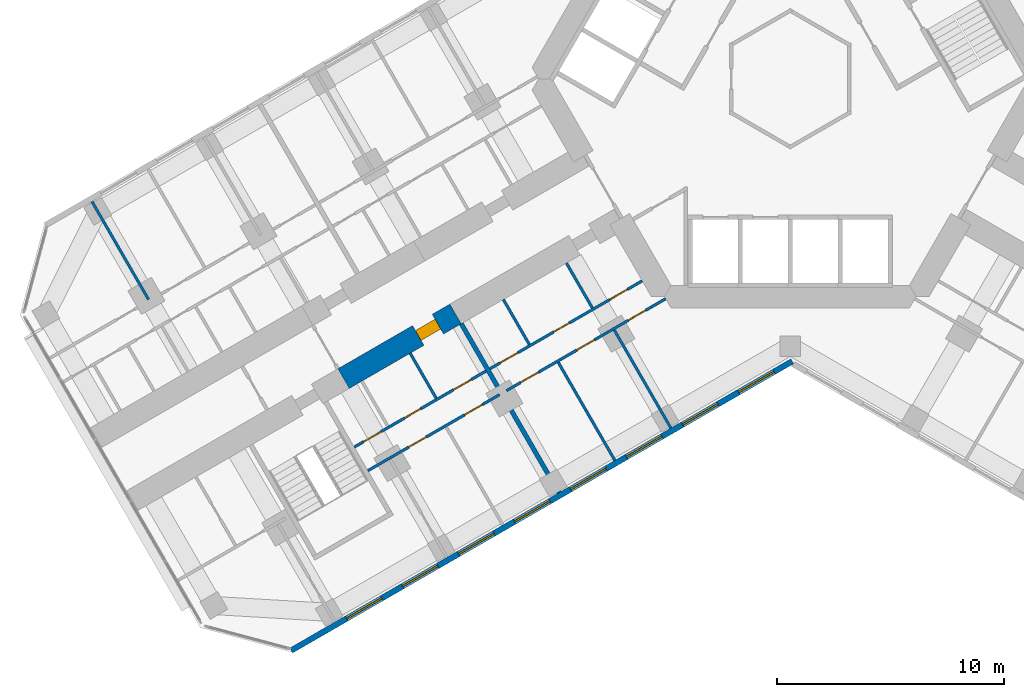
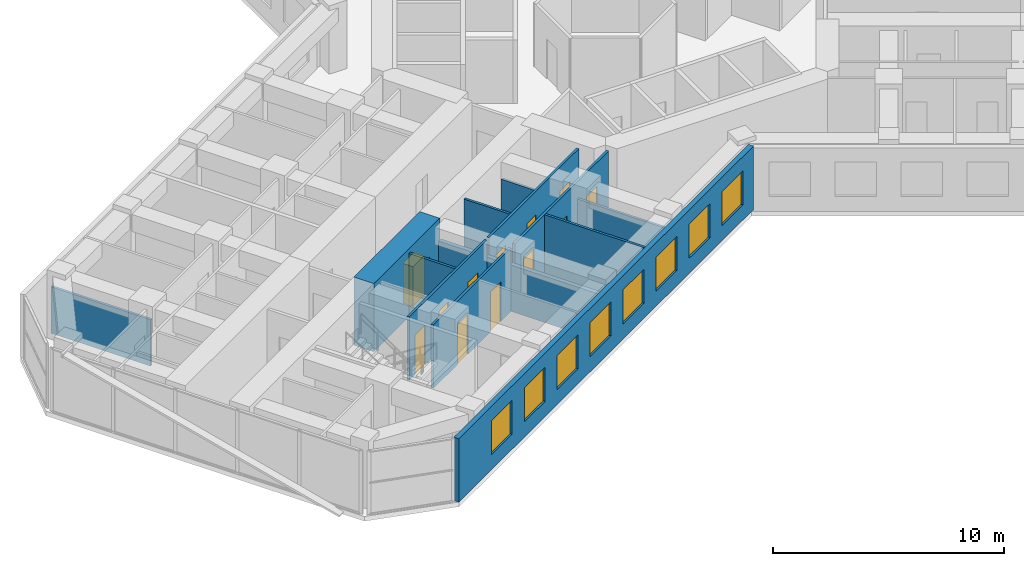
# One storey, part 11 of 22: 13 walls, 12 doors, 8 windows, 20 openings.
"""IFC4 building model written with IfcOpenShell, lengths in metres."""

from ifc_helpers import new_model, si_unit, direction, frame, frame_2d, origin, place, context, subcontext, project, spatial, rectangle, extrude, material, layer, layer_set, type_object, element, fill, save


model = new_model("IFC4")

# Units and contexts
model_context = context("Model", 3, precision=1e-05, world=origin(), true_north=direction((0.0, 1.0)))
body_context = subcontext(model_context, "Body", "Model", "MODEL_VIEW")
ifc_project = project(units=[si_unit("LENGTHUNIT", "METRE"), si_unit("AREAUNIT", "SQUARE_METRE"), si_unit("VOLUMEUNIT", "CUBIC_METRE"), si_unit("PLANEANGLEUNIT", "RADIAN"), si_unit("MASSUNIT", "GRAM", prefix="KILO")], contexts=[model_context])

# Site, building, storey
site_placement = place(None, origin())
site = spatial("IfcSite", under=ifc_project, at=site_placement, CompositionType="ELEMENT")
building_placement = place(site_placement, origin())
building = spatial("IfcBuilding", under=site, at=building_placement, Name="Kosmar Iwan School Tower", CompositionType="ELEMENT")
storey_placement = place(building_placement, frame((0.0, 0.0, 95.199951171875)))
storey = spatial("IfcBuildingStorey", under=building, at=storey_placement, Name="L23", CompositionType="ELEMENT", Elevation=95.199951171875)

# Wall, opening, door
ifc_material_1 = material(Name="Concrete C50/60", Category="concrete")
ifc_layer_1 = layer(ifc_material_1, 1.0)
ifc_layer_set_1 = layer_set([ifc_layer_1], Name="Corridor buttress wall 1000")
wall_type_1 = type_object("IfcWallType", Name="Corridor buttress wall 1000", PredefinedType="SHEAR", material=ifc_layer_set_1)
wall_1_placement = place(storey_placement, frame((-14.7451171875, -10.360595703125, 0.0), z_axis=(0.0, 0.0, 1.0), x_axis=(-0.866015111908, -0.50001782563, 0.0)))
wall_1 = element("IfcWall", 1, at=wall_1_placement, inside=storey, type_object=wall_type_1, Name="Corridor wall BL bay 2", PredefinedType="SHEAR", context=body_context, shape_type="SweptSolid", body=[
    extrude(rectangle(XDim=5.699951171875, YDim=1.0, at=frame_2d((2.85009765625, 0.0))), origin(), (0.0, 0.0, 1.0), 3.60009765625),
])
opening_1_placement = place(wall_1_placement, frame((0.89990234375, 0.0, 0.0)))
opening_1 = element("IfcOpeningElement", 2, at=opening_1_placement, cuts=wall_1, Name="Opening D1", PredefinedType="OPENING", context=body_context, shape_type="SweptSolid", body=[
    extrude(rectangle(XDim=1.0, YDim=2.10009765625, at=frame_2d((0.5, 1.050048828125))), frame((0.0, 0.511962890625, 0.0), z_axis=(0.0, -1.0, 0.0), x_axis=(1.0, 0.0, 0.0)), (0.0, 0.0, 1.0), 1.02392578125),
])
ifc_material_2 = material(Name="Timber fire door in steel frame", Category="steel")
door_type_1 = type_object("IfcDoorType", Name="Flat entrance door 1000x2100", OperationType="SINGLE_SWING_LEFT", PredefinedType="DOOR", material=ifc_material_2)
door_1_placement = place(opening_1_placement, origin())
door_1 = element("IfcDoor", 3, at=door_1_placement, inside=storey, type_object=door_type_1, Name="Flat L23-BL2 entrance door", OperationType="SINGLE_SWING_RIGHT", OverallHeight=2.10009765625, OverallWidth=1.0, PredefinedType="DOOR", context=body_context, shape_type="SweptSolid", body=[
    extrude(rectangle(XDim=1.0, YDim=2.10009765625, at=frame_2d((0.5, 1.050048828125))), frame((0.0, 0.25, 0.0), z_axis=(0.0, -1.0, 0.0), x_axis=(1.0, 0.0, 0.0)), (0.0, 0.0, 1.0), 0.5),
])
fill(opening_1, door_1)

# Wall, openings, doors
ifc_material_3 = material(Name="Gypsum board on steel studs", Category="steel")
ifc_layer_2 = layer(ifc_material_3, 0.1201171875)
ifc_layer_set_2 = layer_set([ifc_layer_2], Name="Dwelling partition 120")
wall_type_2 = type_object("IfcWallType", Name="Dwelling partition 120", PredefinedType="PARTITIONING", material=ifc_layer_set_2)
wall_2_placement = place(storey_placement, frame((-6.521728515625, -8.90380859375, 0.0), z_axis=(0.0, 0.0, 1.0), x_axis=(-0.866032409438, -0.499987865656, 0.0)))
wall_2 = element("IfcWall", 4, at=wall_2_placement, inside=storey, type_object=wall_type_2, Name="Partition L23-BL1-W1", PredefinedType="PARTITIONING", context=body_context, shape_type="SweptSolid", body=[
    extrude(rectangle(XDim=7.750244140625, YDim=0.1201171875, at=frame_2d((3.875, 0.0))), origin(), (0.0, 0.0, 1.0), 3.35009765625),
])
opening_2_placement = place(wall_2_placement, frame((0.75, 0.0, 0.0)))
opening_2 = element("IfcOpeningElement", 5, at=opening_2_placement, cuts=wall_2, Name="Opening D2", PredefinedType="OPENING", context=body_context, shape_type="SweptSolid", body=[
    extrude(rectangle(XDim=0.89990234375, YDim=2.10009765625, at=frame_2d((0.449951171875, 1.050048828125))), frame((0.0, 0.072021484375, 0.0), z_axis=(0.0, -1.0, 0.0), x_axis=(1.0, 0.0, 0.0)), (0.0, 0.0, 1.0), 0.14404296875),
])
opening_3_placement = place(wall_2_placement, frame((3.705078125, 0.0, 0.0)))
opening_3 = element("IfcOpeningElement", 6, at=opening_3_placement, cuts=wall_2, Name="Opening D3", PredefinedType="OPENING", context=body_context, shape_type="SweptSolid", body=[
    extrude(rectangle(XDim=0.800048828125, YDim=2.10009765625, at=frame_2d((0.39990234375, 1.050048828125))), frame((0.0, 0.072021484375, 0.0), z_axis=(0.0, -1.0, 0.0), x_axis=(1.0, 0.0, 0.0)), (0.0, 0.0, 1.0), 0.14404296875),
])
opening_4_placement = place(wall_2_placement, frame((6.330078125, 0.0, 0.0)))
opening_4 = element("IfcOpeningElement", 7, at=opening_4_placement, cuts=wall_2, Name="Opening D2", PredefinedType="OPENING", context=body_context, shape_type="SweptSolid", body=[
    extrude(rectangle(XDim=0.89990234375, YDim=2.10009765625, at=frame_2d((0.449951171875, 1.050048828125))), frame((0.0, 0.072021484375, 0.0), z_axis=(0.0, -1.0, 0.0), x_axis=(1.0, 0.0, 0.0)), (0.0, 0.0, 1.0), 0.14404296875),
])
ifc_material_4 = material(Name="Timber door in timber frame", Category="wood")
door_type_2 = type_object("IfcDoorType", Name="Internal door 900x2100", OperationType="SINGLE_SWING_LEFT", PredefinedType="DOOR", material=ifc_material_4)
door_2_placement = place(opening_2_placement, origin())
door_2 = element("IfcDoor", 8, at=door_2_placement, inside=storey, type_object=door_type_2, Name="Entrance hall door L23-BL1-S1", OperationType="SINGLE_SWING_LEFT", OverallHeight=2.10009765625, OverallWidth=0.89990234375, PredefinedType="DOOR", context=body_context, shape_type="SweptSolid", body=[
    extrude(rectangle(XDim=0.89990234375, YDim=2.10009765625, at=frame_2d((0.449951171875, 1.050048828125))), frame((0.0, 0.02490234375, 0.0), z_axis=(0.0, -1.0, 0.0), x_axis=(1.0, 0.0, 0.0)), (0.0, 0.0, 1.0), 0.050048828125),
])
fill(opening_2, door_2)
door_3_placement = place(opening_4_placement, origin())
door_3 = element("IfcDoor", 9, at=door_3_placement, inside=storey, type_object=door_type_2, Name="Pantry door L23-BL1-S3", OperationType="SINGLE_SWING_RIGHT", OverallHeight=2.10009765625, OverallWidth=0.89990234375, PredefinedType="DOOR", context=body_context, shape_type="SweptSolid", body=[
    extrude(rectangle(XDim=0.89990234375, YDim=2.10009765625, at=frame_2d((0.449951171875, 1.050048828125))), frame((0.0, 0.02490234375, 0.0), z_axis=(0.0, -1.0, 0.0), x_axis=(1.0, 0.0, 0.0)), (0.0, 0.0, 1.0), 0.050048828125),
])
fill(opening_4, door_3)
ifc_material_5 = material(Name="Timber door in timber frame", Category="wood")
door_type_3 = type_object("IfcDoorType", Name="Sanitary room door 800x2100", OperationType="SINGLE_SWING_LEFT", PredefinedType="DOOR", material=ifc_material_5)
door_4_placement = place(opening_3_placement, origin())
door_4 = element("IfcDoor", 10, at=door_4_placement, inside=storey, type_object=door_type_3, Name="Bathroom door L23-BL1-S2", OperationType="SINGLE_SWING_RIGHT", OverallHeight=2.10009765625, OverallWidth=0.800048828125, PredefinedType="DOOR", context=body_context, shape_type="SweptSolid", body=[
    extrude(rectangle(XDim=0.800048828125, YDim=2.10009765625, at=frame_2d((0.39990234375, 1.050048828125))), frame((0.0, 0.02490234375, 0.0), z_axis=(0.0, -1.0, 0.0), x_axis=(1.0, 0.0, 0.0)), (0.0, 0.0, 1.0), 0.050048828125),
])
fill(opening_3, door_4)

wall_3_placement = place(storey_placement, frame((-5.48876953125, -9.693115234375, 0.0), z_axis=(0.0, 0.0, 1.0), x_axis=(-0.866025472755, -0.499999880539, 0.0)))
wall_3 = element("IfcWall", 11, at=wall_3_placement, inside=storey, type_object=wall_type_2, Name="Partition L23-BL1-W2", PredefinedType="PARTITIONING", context=body_context, shape_type="SweptSolid", body=[
    extrude(rectangle(XDim=8.10009765625, YDim=0.1201171875, at=frame_2d((4.050048828125, 0.0))), origin(), (0.0, 0.0, 1.0), 3.35009765625),
])
opening_5_placement = place(wall_3_placement, frame((1.0, 0.0, 0.0)))
opening_5 = element("IfcOpeningElement", 12, at=opening_5_placement, cuts=wall_3, Name="Opening D2", PredefinedType="OPENING", context=body_context, shape_type="SweptSolid", body=[
    extrude(rectangle(XDim=0.89990234375, YDim=2.10009765625, at=frame_2d((0.449951171875, 1.050048828125))), frame((0.0, 0.072021484375, 0.0), z_axis=(0.0, -1.0, 0.0), x_axis=(1.0, 0.0, 0.0)), (0.0, 0.0, 1.0), 0.14404296875),
])
opening_6_placement = place(wall_3_placement, frame((3.625, 0.0, 0.0)))
opening_6 = element("IfcOpeningElement", 13, at=opening_6_placement, cuts=wall_3, Name="Opening D2", PredefinedType="OPENING", context=body_context, shape_type="SweptSolid", body=[
    extrude(rectangle(XDim=0.89990234375, YDim=2.10009765625, at=frame_2d((0.449951171875, 1.050048828125))), frame((0.0, 0.072021484375, 0.0), z_axis=(0.0, -1.0, 0.0), x_axis=(1.0, 0.0, 0.0)), (0.0, 0.0, 1.0), 0.14404296875),
])
opening_7_placement = place(wall_3_placement, frame((6.47509765625, 0.0, 0.0)))
opening_7 = element("IfcOpeningElement", 14, at=opening_7_placement, cuts=wall_3, Name="Opening D2", PredefinedType="OPENING", context=body_context, shape_type="SweptSolid", body=[
    extrude(rectangle(XDim=0.89990234375, YDim=2.10009765625, at=frame_2d((0.449951171875, 1.050048828125))), frame((0.0, 0.072021484375, 0.0), z_axis=(0.0, -1.0, 0.0), x_axis=(1.0, 0.0, 0.0)), (0.0, 0.0, 1.0), 0.14404296875),
])
door_5_placement = place(opening_5_placement, origin())
door_5 = element("IfcDoor", 15, at=door_5_placement, inside=storey, type_object=door_type_2, Name="Living room and kitchen door L23-BL1-F1", OperationType="SINGLE_SWING_LEFT", OverallHeight=2.10009765625, OverallWidth=0.89990234375, PredefinedType="DOOR", context=body_context, shape_type="SweptSolid", body=[
    extrude(rectangle(XDim=0.89990234375, YDim=2.10009765625, at=frame_2d((0.449951171875, 1.050048828125))), frame((0.0, 0.02490234375, 0.0), z_axis=(0.0, -1.0, 0.0), x_axis=(1.0, 0.0, 0.0)), (0.0, 0.0, 1.0), 0.050048828125),
])
fill(opening_5, door_5)
door_6_placement = place(opening_6_placement, origin())
door_6 = element("IfcDoor", 16, at=door_6_placement, inside=storey, type_object=door_type_2, Name="Study door L23-BL1-F2", OperationType="SINGLE_SWING_LEFT", OverallHeight=2.10009765625, OverallWidth=0.89990234375, PredefinedType="DOOR", context=body_context, shape_type="SweptSolid", body=[
    extrude(rectangle(XDim=0.89990234375, YDim=2.10009765625, at=frame_2d((0.449951171875, 1.050048828125))), frame((0.0, 0.02490234375, 0.0), z_axis=(0.0, -1.0, 0.0), x_axis=(1.0, 0.0, 0.0)), (0.0, 0.0, 1.0), 0.050048828125),
])
fill(opening_6, door_6)
door_7_placement = place(opening_7_placement, origin())
door_7 = element("IfcDoor", 17, at=door_7_placement, inside=storey, type_object=door_type_2, Name="Bedroom 1 door L23-BL1-F3", OperationType="SINGLE_SWING_RIGHT", OverallHeight=2.10009765625, OverallWidth=0.89990234375, PredefinedType="DOOR", context=body_context, shape_type="SweptSolid", body=[
    extrude(rectangle(XDim=0.89990234375, YDim=2.10009765625, at=frame_2d((0.449951171875, 1.050048828125))), frame((0.0, 0.02490234375, 0.0), z_axis=(0.0, -1.0, 0.0), x_axis=(1.0, 0.0, 0.0)), (0.0, 0.0, 1.0), 0.050048828125),
])
fill(opening_7, door_7)

# Walls
wall_4_placement = place(storey_placement, frame((-7.75390625, -11.070068359375, 0.0), z_axis=(0.0, 0.0, 1.0), x_axis=(0.500011847778, -0.866018563358, 0.0)))
element("IfcWall", 18, at=wall_4_placement, inside=storey, type_object=wall_type_2, Name="Partition L23-BL1-X1", PredefinedType="PARTITIONING", context=body_context, shape_type="SweptSolid", body=[
    extrude(rectangle(XDim=4.990234375, YDim=0.1201171875, at=frame_2d((2.4951171875, 0.0))), origin(), (0.0, 0.0, 1.0), 2.449951171875),
])
wall_5_placement = place(storey_placement, frame((-10.221923828125, -12.4951171875, 0.0), z_axis=(0.0, 0.0, 1.0), x_axis=(0.499996339024, -0.86602751744, 0.0)))
element("IfcWall", 19, at=wall_5_placement, inside=storey, type_object=wall_type_2, Name="Partition L23-BL1-X2", PredefinedType="PARTITIONING", context=body_context, shape_type="SweptSolid", body=[
    extrude(rectangle(XDim=4.98974609375, YDim=0.1201171875, at=frame_2d((2.494873046875, 0.0))), origin(), (0.0, 0.0, 1.0), 3.35009765625),
])
wall_6_placement = place(storey_placement, frame((-9.86181640625, -8.11865234375, 0.0), z_axis=(0.0, 0.0, 1.0), x_axis=(0.500014693593, -0.866016920268, 0.0)))
element("IfcWall", 20, at=wall_6_placement, inside=storey, type_object=wall_type_2, Name="Partition L23-BL1-Y1", PredefinedType="PARTITIONING", context=body_context, shape_type="SweptSolid", body=[
    extrude(rectangle(XDim=2.2900390625, YDim=0.1201171875, at=frame_2d((1.14501953125, 0.0))), origin(), (0.0, 0.0, 1.0), 2.449951171875),
])
wall_7_placement = place(storey_placement, frame((-12.641845703125, -9.7236328125, 0.0), z_axis=(0.0, 0.0, 1.0), x_axis=(0.500014693593, -0.866016920268, 0.0)))
element("IfcWall", 21, at=wall_7_placement, inside=storey, type_object=wall_type_2, Name="Partition L23-BL1-Y2", PredefinedType="PARTITIONING", context=body_context, shape_type="SweptSolid", body=[
    extrude(rectangle(XDim=2.2900390625, YDim=0.1201171875, at=frame_2d((1.14501953125, 0.0))), origin(), (0.0, 0.0, 1.0), 3.35009765625),
])

# Wall, openings, doors
wall_8_placement = place(storey_placement, frame((-13.40673828125, -12.87890625, 0.0), z_axis=(0.0, 0.0, 1.0), x_axis=(-0.866039349182, -0.499975845085, 0.0)))
wall_8 = element("IfcWall", 22, at=wall_8_placement, inside=storey, type_object=wall_type_2, Name="Partition L23-BL2-W1", PredefinedType="PARTITIONING", context=body_context, shape_type="SweptSolid", body=[
    extrude(rectangle(XDim=6.699951171875, YDim=0.1201171875, at=frame_2d((3.35009765625, 0.0))), origin(), (0.0, 0.0, 1.0), 3.35009765625),
])
opening_8_placement = place(wall_8_placement, frame((0.75, 0.0, 0.0)))
opening_8 = element("IfcOpeningElement", 23, at=opening_8_placement, cuts=wall_8, Name="Opening D2", PredefinedType="OPENING", context=body_context, shape_type="SweptSolid", body=[
    extrude(rectangle(XDim=0.89990234375, YDim=2.10009765625, at=frame_2d((0.449951171875, 1.050048828125))), frame((0.0, 0.072021484375, 0.0), z_axis=(0.0, -1.0, 0.0), x_axis=(1.0, 0.0, 0.0)), (0.0, 0.0, 1.0), 0.14404296875),
])
opening_9_placement = place(wall_8_placement, frame((3.330078125, 0.0, 0.0)))
opening_9 = element("IfcOpeningElement", 24, at=opening_9_placement, cuts=wall_8, Name="Opening D3", PredefinedType="OPENING", context=body_context, shape_type="SweptSolid", body=[
    extrude(rectangle(XDim=0.800048828125, YDim=2.10009765625, at=frame_2d((0.39990234375, 1.050048828125))), frame((0.0, 0.072021484375, 0.0), z_axis=(0.0, -1.0, 0.0), x_axis=(1.0, 0.0, 0.0)), (0.0, 0.0, 1.0), 0.14404296875),
])
opening_10_placement = place(wall_8_placement, frame((5.330078125, 0.0, 0.0)))
opening_10 = element("IfcOpeningElement", 25, at=opening_10_placement, cuts=wall_8, Name="Opening D2", PredefinedType="OPENING", context=body_context, shape_type="SweptSolid", body=[
    extrude(rectangle(XDim=0.89990234375, YDim=2.10009765625, at=frame_2d((0.449951171875, 1.050048828125))), frame((0.0, 0.072021484375, 0.0), z_axis=(0.0, -1.0, 0.0), x_axis=(1.0, 0.0, 0.0)), (0.0, 0.0, 1.0), 0.14404296875),
])
door_8_placement = place(opening_8_placement, origin())
door_8 = element("IfcDoor", 26, at=door_8_placement, inside=storey, type_object=door_type_2, Name="Entrance hall door L23-BL2-S1", OperationType="SINGLE_SWING_LEFT", OverallHeight=2.10009765625, OverallWidth=0.89990234375, PredefinedType="DOOR", context=body_context, shape_type="SweptSolid", body=[
    extrude(rectangle(XDim=0.89990234375, YDim=2.10009765625, at=frame_2d((0.449951171875, 1.050048828125))), frame((0.0, 0.02490234375, 0.0), z_axis=(0.0, -1.0, 0.0), x_axis=(1.0, 0.0, 0.0)), (0.0, 0.0, 1.0), 0.050048828125),
])
fill(opening_8, door_8)
door_9_placement = place(opening_10_placement, frame((0.89990234375, 0.0, 0.0), z_axis=(0.0, 0.0, 1.0), x_axis=(-1.0, 0.0, 0.0)))
door_9 = element("IfcDoor", 27, at=door_9_placement, inside=storey, type_object=door_type_2, Name="Pantry door L23-BL2-S3", OperationType="SINGLE_SWING_LEFT", OverallHeight=2.10009765625, OverallWidth=0.89990234375, PredefinedType="DOOR", context=body_context, shape_type="SweptSolid", body=[
    extrude(rectangle(XDim=0.89990234375, YDim=2.10009765625, at=frame_2d((0.449951171875, 1.050048828125))), frame((0.0, 0.02490234375, 0.0), z_axis=(0.0, -1.0, 0.0), x_axis=(1.0, 0.0, 0.0)), (0.0, 0.0, 1.0), 0.050048828125),
])
fill(opening_10, door_9)
door_10_placement = place(opening_9_placement, origin())
door_10 = element("IfcDoor", 28, at=door_10_placement, inside=storey, type_object=door_type_3, Name="Bathroom door L23-BL2-S2", OperationType="SINGLE_SWING_RIGHT", OverallHeight=2.10009765625, OverallWidth=0.800048828125, PredefinedType="DOOR", context=body_context, shape_type="SweptSolid", body=[
    extrude(rectangle(XDim=0.800048828125, YDim=2.10009765625, at=frame_2d((0.39990234375, 1.050048828125))), frame((0.0, 0.02490234375, 0.0), z_axis=(0.0, -1.0, 0.0), x_axis=(1.0, 0.0, 0.0)), (0.0, 0.0, 1.0), 0.050048828125),
])
fill(opening_9, door_10)

wall_9_placement = place(storey_placement, frame((-12.806640625, -13.91796875, 0.0), z_axis=(0.0, 0.0, 1.0), x_axis=(-0.866023571113, -0.500003174267, 0.0)))
wall_9 = element("IfcWall", 29, at=wall_9_placement, inside=storey, type_object=wall_type_2, Name="Partition L23-BL2-W2", PredefinedType="PARTITIONING", context=body_context, shape_type="SweptSolid", body=[
    extrude(rectangle(XDim=6.7001953125, YDim=0.1201171875, at=frame_2d((3.35009765625, 0.0))), origin(), (0.0, 0.0, 1.0), 3.35009765625),
])
opening_11_placement = place(wall_9_placement, frame((0.875, 0.0, 0.0)))
opening_11 = element("IfcOpeningElement", 30, at=opening_11_placement, cuts=wall_9, Name="Opening D2", PredefinedType="OPENING", context=body_context, shape_type="SweptSolid", body=[
    extrude(rectangle(XDim=0.89990234375, YDim=2.10009765625, at=frame_2d((0.449951171875, 1.050048828125))), frame((0.0, 0.072021484375, 0.0), z_axis=(0.0, -1.0, 0.0), x_axis=(1.0, 0.0, 0.0)), (0.0, 0.0, 1.0), 0.14404296875),
])
opening_12_placement = place(wall_9_placement, frame((3.72509765625, 0.0, 0.0)))
opening_12 = element("IfcOpeningElement", 31, at=opening_12_placement, cuts=wall_9, Name="Opening D2", PredefinedType="OPENING", context=body_context, shape_type="SweptSolid", body=[
    extrude(rectangle(XDim=0.89990234375, YDim=2.10009765625, at=frame_2d((0.449951171875, 1.050048828125))), frame((0.0, 0.072021484375, 0.0), z_axis=(0.0, -1.0, 0.0), x_axis=(1.0, 0.0, 0.0)), (0.0, 0.0, 1.0), 0.14404296875),
])
door_11_placement = place(opening_11_placement, origin())
door_11 = element("IfcDoor", 32, at=door_11_placement, inside=storey, type_object=door_type_2, Name="Living room and kitchen door L23-BL2-F1", OperationType="SINGLE_SWING_RIGHT", OverallHeight=2.10009765625, OverallWidth=0.89990234375, PredefinedType="DOOR", context=body_context, shape_type="SweptSolid", body=[
    extrude(rectangle(XDim=0.89990234375, YDim=2.10009765625, at=frame_2d((0.449951171875, 1.050048828125))), frame((0.0, 0.02490234375, 0.0), z_axis=(0.0, -1.0, 0.0), x_axis=(1.0, 0.0, 0.0)), (0.0, 0.0, 1.0), 0.050048828125),
])
fill(opening_11, door_11)
door_12_placement = place(opening_12_placement, origin())
door_12 = element("IfcDoor", 33, at=door_12_placement, inside=storey, type_object=door_type_2, Name="Bedroom 1 door L23-BL2-F2", OperationType="SINGLE_SWING_LEFT", OverallHeight=2.10009765625, OverallWidth=0.89990234375, PredefinedType="DOOR", context=body_context, shape_type="SweptSolid", body=[
    extrude(rectangle(XDim=0.89990234375, YDim=2.10009765625, at=frame_2d((0.449951171875, 1.050048828125))), frame((0.0, 0.02490234375, 0.0), z_axis=(0.0, -1.0, 0.0), x_axis=(1.0, 0.0, 0.0)), (0.0, 0.0, 1.0), 0.050048828125),
])
fill(opening_12, door_12)

# Walls
wall_10_placement = place(storey_placement, frame((-16.746826171875, -12.09375, 0.0), z_axis=(0.0, 0.0, 1.0), x_axis=(0.500014693593, -0.866016920268, 0.0)))
element("IfcWall", 34, at=wall_10_placement, inside=storey, type_object=wall_type_2, Name="Partition L23-BL2-Y1", PredefinedType="PARTITIONING", context=body_context, shape_type="SweptSolid", body=[
    extrude(rectangle(XDim=2.2900390625, YDim=0.1201171875, at=frame_2d((1.14501953125, 0.0))), origin(), (0.0, 0.0, 1.0), 3.35009765625),
])
wall_11_placement = place(storey_placement, frame((-28.27294921875, -9.72998046875, 0.0), z_axis=(0.0, 0.0, 1.0), x_axis=(-0.499975153383, 0.86603974851, 0.0)))
element("IfcWall", 35, at=wall_11_placement, inside=storey, type_object=wall_type_2, Name="Partition L23-BR2-X3", PredefinedType="PARTITIONING", context=body_context, shape_type="SweptSolid", body=[
    extrude(rectangle(XDim=4.989990234375, YDim=0.1201171875, at=frame_2d((2.4951171875, 0.0))), origin(), (0.0, 0.0, 1.0), 2.449951171875),
])

# Wall, openings, windows
ifc_material_6 = material(Name="Black aluminium rainscreen on insulated framing", Category="aluminium")
ifc_layer_3 = layer(ifc_material_6, 0.25)
ifc_layer_set_3 = layer_set([ifc_layer_3], Name="External wall rainscreen 250")
wall_type_3 = type_object("IfcWallType", Name="External wall rainscreen 250", PredefinedType="SOLIDWALL", material=ifc_layer_set_3)
wall_12_placement = place(storey_placement, frame((0.088134765625, -12.44873046875, 0.0), z_axis=(0.0, 0.0, 1.0), x_axis=(-0.866026390279, -0.499998291337, 0.0)))
wall_12 = element("IfcWall", 36, at=wall_12_placement, inside=storey, type_object=wall_type_3, Name="External wall BL L23", PredefinedType="SOLIDWALL", context=body_context, shape_type="SweptSolid", body=[
    extrude(rectangle(XDim=25.4873046875, YDim=0.25, at=frame_2d((12.74365234375, 0.0))), origin(), (0.0, 0.0, 1.0), 3.35009765625),
])
opening_13_placement = place(wall_12_placement, frame((0.927001953125, 0.0, 0.800048828125)))
opening_13 = element("IfcOpeningElement", 37, at=opening_13_placement, cuts=wall_12, Name="Opening W1", PredefinedType="OPENING", context=body_context, shape_type="SweptSolid", body=[
    extrude(rectangle(XDim=1.800048828125, YDim=1.800048828125, at=frame_2d((0.89990234375, 0.89990234375))), frame((0.0, 0.136962890625, 0.0), z_axis=(0.0, -1.0, 0.0), x_axis=(1.0, 0.0, 0.0)), (0.0, 0.0, 1.0), 0.27392578125),
])
opening_14_placement = place(wall_12_placement, frame((3.777099609375, 0.0, 0.800048828125)))
opening_14 = element("IfcOpeningElement", 38, at=opening_14_placement, cuts=wall_12, Name="Opening W1", PredefinedType="OPENING", context=body_context, shape_type="SweptSolid", body=[
    extrude(rectangle(XDim=1.800048828125, YDim=1.800048828125, at=frame_2d((0.89990234375, 0.89990234375))), frame((0.0, 0.136962890625, 0.0), z_axis=(0.0, -1.0, 0.0), x_axis=(1.0, 0.0, 0.0)), (0.0, 0.0, 1.0), 0.27392578125),
])
opening_15_placement = place(wall_12_placement, frame((6.626953125, 0.0, 0.800048828125)))
opening_15 = element("IfcOpeningElement", 39, at=opening_15_placement, cuts=wall_12, Name="Opening W1", PredefinedType="OPENING", context=body_context, shape_type="SweptSolid", body=[
    extrude(rectangle(XDim=1.800048828125, YDim=1.800048828125, at=frame_2d((0.89990234375, 0.89990234375))), frame((0.0, 0.136962890625, 0.0), z_axis=(0.0, -1.0, 0.0), x_axis=(1.0, 0.0, 0.0)), (0.0, 0.0, 1.0), 0.27392578125),
])
opening_16_placement = place(wall_12_placement, frame((9.47705078125, 0.0, 0.800048828125)))
opening_16 = element("IfcOpeningElement", 40, at=opening_16_placement, cuts=wall_12, Name="Opening W1", PredefinedType="OPENING", context=body_context, shape_type="SweptSolid", body=[
    extrude(rectangle(XDim=1.800048828125, YDim=1.800048828125, at=frame_2d((0.89990234375, 0.89990234375))), frame((0.0, 0.136962890625, 0.0), z_axis=(0.0, -1.0, 0.0), x_axis=(1.0, 0.0, 0.0)), (0.0, 0.0, 1.0), 0.27392578125),
])
opening_17_placement = place(wall_12_placement, frame((12.326904296875, 0.0, 0.800048828125)))
opening_17 = element("IfcOpeningElement", 41, at=opening_17_placement, cuts=wall_12, Name="Opening W1", PredefinedType="OPENING", context=body_context, shape_type="SweptSolid", body=[
    extrude(rectangle(XDim=1.800048828125, YDim=1.800048828125, at=frame_2d((0.89990234375, 0.89990234375))), frame((0.0, 0.136962890625, 0.0), z_axis=(0.0, -1.0, 0.0), x_axis=(1.0, 0.0, 0.0)), (0.0, 0.0, 1.0), 0.27392578125),
])
opening_18_placement = place(wall_12_placement, frame((15.177001953125, 0.0, 0.800048828125)))
opening_18 = element("IfcOpeningElement", 42, at=opening_18_placement, cuts=wall_12, Name="Opening W1", PredefinedType="OPENING", context=body_context, shape_type="SweptSolid", body=[
    extrude(rectangle(XDim=1.800048828125, YDim=1.800048828125, at=frame_2d((0.89990234375, 0.89990234375))), frame((0.0, 0.136962890625, 0.0), z_axis=(0.0, -1.0, 0.0), x_axis=(1.0, 0.0, 0.0)), (0.0, 0.0, 1.0), 0.27392578125),
])
opening_19_placement = place(wall_12_placement, frame((18.027099609375, 0.0, 0.800048828125)))
opening_19 = element("IfcOpeningElement", 43, at=opening_19_placement, cuts=wall_12, Name="Opening W1", PredefinedType="OPENING", context=body_context, shape_type="SweptSolid", body=[
    extrude(rectangle(XDim=1.800048828125, YDim=1.800048828125, at=frame_2d((0.89990234375, 0.89990234375))), frame((0.0, 0.136962890625, 0.0), z_axis=(0.0, -1.0, 0.0), x_axis=(1.0, 0.0, 0.0)), (0.0, 0.0, 1.0), 0.27392578125),
])
opening_20_placement = place(wall_12_placement, frame((20.876953125, 0.0, 0.800048828125)))
opening_20 = element("IfcOpeningElement", 44, at=opening_20_placement, cuts=wall_12, Name="Opening W1", PredefinedType="OPENING", context=body_context, shape_type="SweptSolid", body=[
    extrude(rectangle(XDim=1.800048828125, YDim=1.800048828125, at=frame_2d((0.89990234375, 0.89990234375))), frame((0.0, 0.136962890625, 0.0), z_axis=(0.0, -1.0, 0.0), x_axis=(1.0, 0.0, 0.0)), (0.0, 0.0, 1.0), 0.27392578125),
])
ifc_material_7 = material(Name="Black aluminium frame with dark triple glazing", Category="aluminium")
window_type = type_object("IfcWindowType", Name="Window 1800x1800", PartitioningType="SINGLE_PANEL", PredefinedType="WINDOW", material=ifc_material_7)
window_1_placement = place(opening_13_placement, origin())
window_1 = element("IfcWindow", 45, at=window_1_placement, inside=storey, type_object=window_type, Name="Window BL L23 -1", OverallHeight=1.800048828125, OverallWidth=1.800048828125, PartitioningType="SINGLE_PANEL", PredefinedType="WINDOW", context=body_context, shape_type="SweptSolid", body=[
    extrude(rectangle(XDim=1.800048828125, YDim=1.800048828125, at=frame_2d((0.89990234375, 0.89990234375))), frame((0.0, 0.030029296875, 0.0), z_axis=(0.0, -1.0, 0.0), x_axis=(1.0, 0.0, 0.0)), (0.0, 0.0, 1.0), 0.06005859375),
])
fill(opening_13, window_1)
window_2_placement = place(opening_14_placement, origin())
window_2 = element("IfcWindow", 46, at=window_2_placement, inside=storey, type_object=window_type, Name="Window BL L23 0", OverallHeight=1.800048828125, OverallWidth=1.800048828125, PartitioningType="SINGLE_PANEL", PredefinedType="WINDOW", context=body_context, shape_type="SweptSolid", body=[
    extrude(rectangle(XDim=1.800048828125, YDim=1.800048828125, at=frame_2d((0.89990234375, 0.89990234375))), frame((0.0, 0.030029296875, 0.0), z_axis=(0.0, -1.0, 0.0), x_axis=(1.0, 0.0, 0.0)), (0.0, 0.0, 1.0), 0.06005859375),
])
fill(opening_14, window_2)
window_3_placement = place(opening_15_placement, origin())
window_3 = element("IfcWindow", 47, at=window_3_placement, inside=storey, type_object=window_type, Name="Window BL L23 1", OverallHeight=1.800048828125, OverallWidth=1.800048828125, PartitioningType="SINGLE_PANEL", PredefinedType="WINDOW", context=body_context, shape_type="SweptSolid", body=[
    extrude(rectangle(XDim=1.800048828125, YDim=1.800048828125, at=frame_2d((0.89990234375, 0.89990234375))), frame((0.0, 0.030029296875, 0.0), z_axis=(0.0, -1.0, 0.0), x_axis=(1.0, 0.0, 0.0)), (0.0, 0.0, 1.0), 0.06005859375),
])
fill(opening_15, window_3)
window_4_placement = place(opening_16_placement, origin())
window_4 = element("IfcWindow", 48, at=window_4_placement, inside=storey, type_object=window_type, Name="Window BL L23 2", OverallHeight=1.800048828125, OverallWidth=1.800048828125, PartitioningType="SINGLE_PANEL", PredefinedType="WINDOW", context=body_context, shape_type="SweptSolid", body=[
    extrude(rectangle(XDim=1.800048828125, YDim=1.800048828125, at=frame_2d((0.89990234375, 0.89990234375))), frame((0.0, 0.030029296875, 0.0), z_axis=(0.0, -1.0, 0.0), x_axis=(1.0, 0.0, 0.0)), (0.0, 0.0, 1.0), 0.06005859375),
])
fill(opening_16, window_4)
window_5_placement = place(opening_17_placement, origin())
window_5 = element("IfcWindow", 49, at=window_5_placement, inside=storey, type_object=window_type, Name="Window BL L23 3", OverallHeight=1.800048828125, OverallWidth=1.800048828125, PartitioningType="SINGLE_PANEL", PredefinedType="WINDOW", context=body_context, shape_type="SweptSolid", body=[
    extrude(rectangle(XDim=1.800048828125, YDim=1.800048828125, at=frame_2d((0.89990234375, 0.89990234375))), frame((0.0, 0.030029296875, 0.0), z_axis=(0.0, -1.0, 0.0), x_axis=(1.0, 0.0, 0.0)), (0.0, 0.0, 1.0), 0.06005859375),
])
fill(opening_17, window_5)
window_6_placement = place(opening_18_placement, origin())
window_6 = element("IfcWindow", 50, at=window_6_placement, inside=storey, type_object=window_type, Name="Window BL L23 4", OverallHeight=1.800048828125, OverallWidth=1.800048828125, PartitioningType="SINGLE_PANEL", PredefinedType="WINDOW", context=body_context, shape_type="SweptSolid", body=[
    extrude(rectangle(XDim=1.800048828125, YDim=1.800048828125, at=frame_2d((0.89990234375, 0.89990234375))), frame((0.0, 0.030029296875, 0.0), z_axis=(0.0, -1.0, 0.0), x_axis=(1.0, 0.0, 0.0)), (0.0, 0.0, 1.0), 0.06005859375),
])
fill(opening_18, window_6)
window_7_placement = place(opening_19_placement, origin())
window_7 = element("IfcWindow", 51, at=window_7_placement, inside=storey, type_object=window_type, Name="Window BL L23 5", OverallHeight=1.800048828125, OverallWidth=1.800048828125, PartitioningType="SINGLE_PANEL", PredefinedType="WINDOW", context=body_context, shape_type="SweptSolid", body=[
    extrude(rectangle(XDim=1.800048828125, YDim=1.800048828125, at=frame_2d((0.89990234375, 0.89990234375))), frame((0.0, 0.030029296875, 0.0), z_axis=(0.0, -1.0, 0.0), x_axis=(1.0, 0.0, 0.0)), (0.0, 0.0, 1.0), 0.06005859375),
])
fill(opening_19, window_7)
window_8_placement = place(opening_20_placement, origin())
window_8 = element("IfcWindow", 52, at=window_8_placement, inside=storey, type_object=window_type, Name="Window BL L23 6", OverallHeight=1.800048828125, OverallWidth=1.800048828125, PartitioningType="SINGLE_PANEL", PredefinedType="WINDOW", context=body_context, shape_type="SweptSolid", body=[
    extrude(rectangle(XDim=1.800048828125, YDim=1.800048828125, at=frame_2d((0.89990234375, 0.89990234375))), frame((0.0, 0.030029296875, 0.0), z_axis=(0.0, -1.0, 0.0), x_axis=(1.0, 0.0, 0.0)), (0.0, 0.0, 1.0), 0.06005859375),
])
fill(opening_20, window_8)

# Wall
ifc_material_8 = material(Name="Concrete block masonry", Category="masonry")
ifc_layer_4 = layer(ifc_material_8, 0.199951171875)
ifc_layer_set_4 = layer_set([ifc_layer_4], Name="Party wall 200")
wall_type_4 = type_object("IfcWallType", Name="Party wall 200", PredefinedType="PARTITIONING", material=ifc_layer_set_4)
wall_13_placement = place(storey_placement, frame((-14.4951171875, -10.793701171875, 0.0), z_axis=(0.0, 0.0, 1.0), x_axis=(0.500007509209, -0.866021068297, 0.0)))
element("IfcWall", 53, at=wall_13_placement, inside=storey, type_object=wall_type_4, Name="Partition L23-BL2-PW", PredefinedType="PARTITIONING", context=body_context, shape_type="SweptSolid", body=[
    extrude(rectangle(XDim=8.599853515625, YDim=0.199951171875, at=frame_2d((4.2998046875, 0.0))), origin(), (0.0, 0.0, 1.0), 2.449951171875),
])

save(model, "model.ifc")
